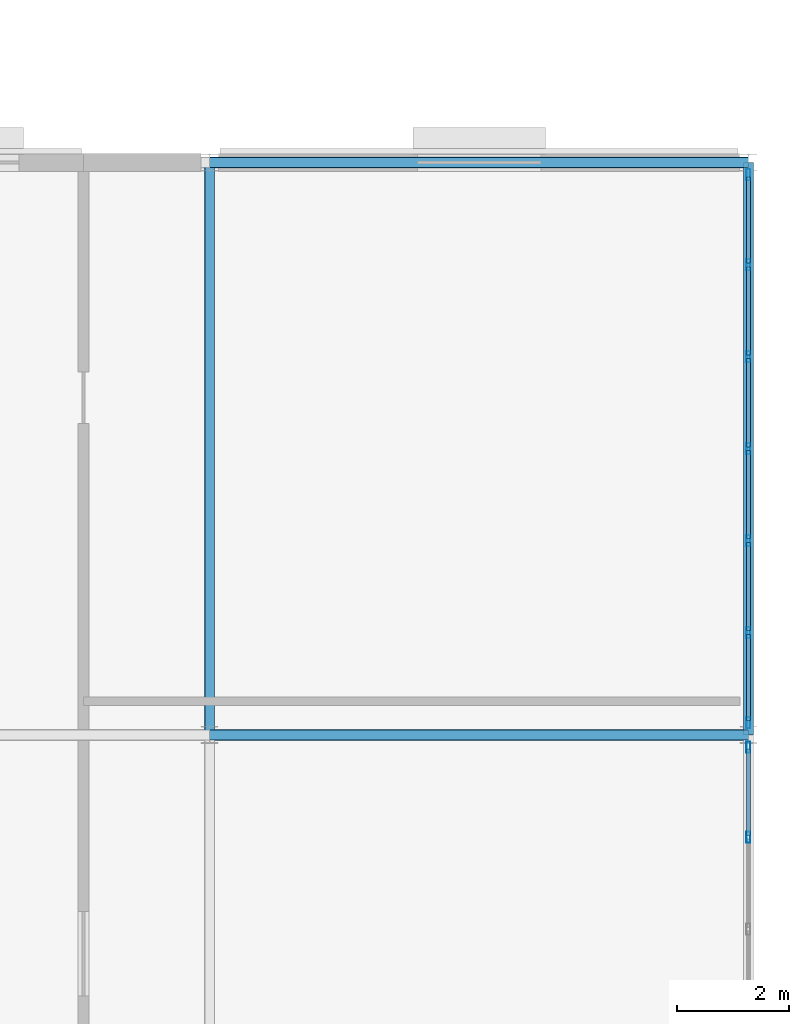
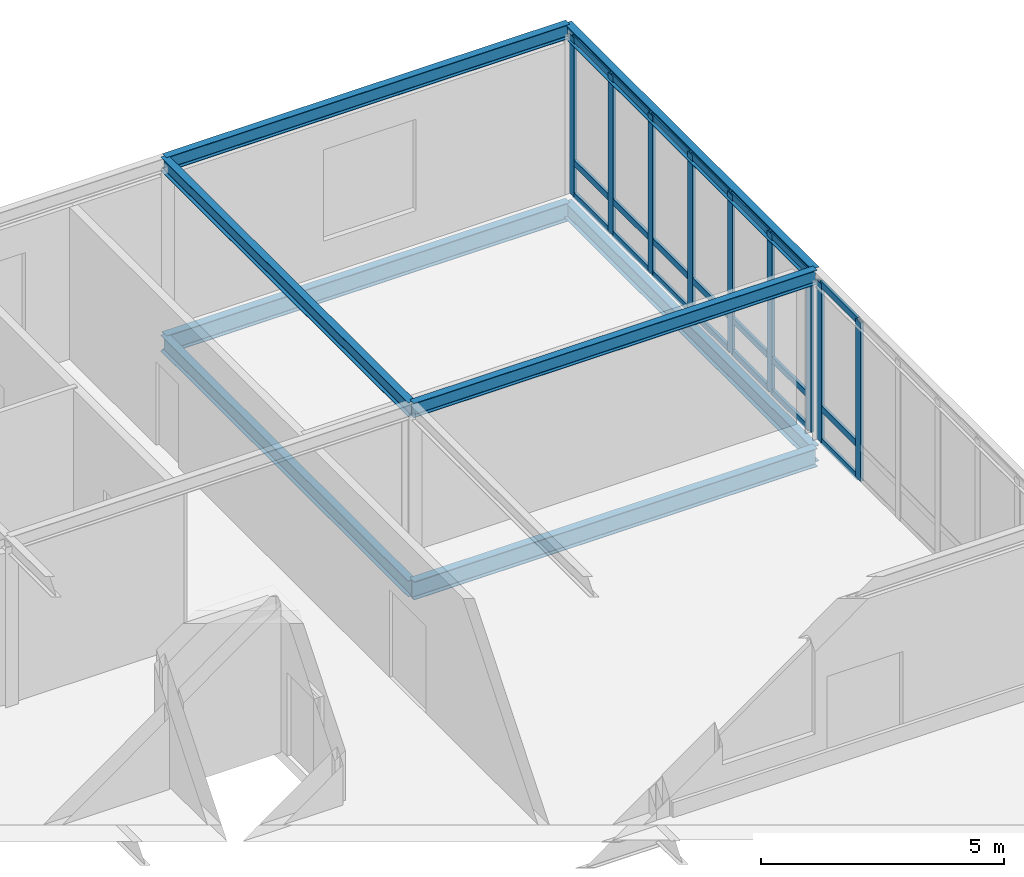
# One storey, part 129 of 185: 30 members, 8 beams, 2 elements without a shape of their own.
"""IFC4 building model written with IfcOpenShell, lengths in metres."""

from ifc_helpers import new_model, si_unit, direction, frame, origin, origin_2d, place, context, subcontext, project, spatial, hollow_rectangle, i_section, extrude, material, material_profile, profile_set, type_object, element, aggregate, save


model = new_model("IFC4")

# Units and contexts
model_context = context("Model", 3, precision=1e-05, world=origin(), true_north=direction((0.0, 1.0)))
body_context = subcontext(model_context, "Body", "Model", "MODEL_VIEW")
ifc_project = project(units=[si_unit("LENGTHUNIT", "METRE"), si_unit("AREAUNIT", "SQUARE_METRE"), si_unit("VOLUMEUNIT", "CUBIC_METRE"), si_unit("PLANEANGLEUNIT", "RADIAN"), si_unit("MASSUNIT", "GRAM", prefix="KILO")], contexts=[model_context])

# Site, building, storey
site_placement = place(None, origin())
site = spatial("IfcSite", under=ifc_project, at=site_placement, CompositionType="ELEMENT")
building_placement = place(site_placement, origin())
building = spatial("IfcBuilding", under=site, at=building_placement, Name="Vondelvale Polytechnic", CompositionType="ELEMENT")
storey_placement = place(building_placement, frame((0.0, 0.0, 9.60009765625)))
storey = spatial("IfcBuildingStorey", under=building, at=storey_placement, Name="L02", CompositionType="ELEMENT", Elevation=9.60009765625)

# Beams
ifc_material_1 = material(Name="Steel 300PLUS (fy = 300 MPa)", Category="steel")
ifc_material_profile_1 = material_profile(ifc_material_1, i_section(OverallWidth=0.172119140625, OverallDepth=0.35888671875, WebThickness=0.008056640625, FlangeThickness=0.012939453125, FilletRadius=0.011474609375, at=origin_2d()), Name="360UB56.7")
ifc_profile_set_1 = profile_set([ifc_material_profile_1], Name="Steel 300PLUS (fy = 300 MPa)")
beam_type_1 = type_object("IfcBeamType", Name="BM-UB360H", PredefinedType="BEAM", material=ifc_profile_set_1)
for number, where, z_axis, x_axis, name in (
    (1, (163.199951171875, 81.60009765625, 4.0205078125), (1.0, 0.0, 0.0), (0.0, 1.0, 0.0), "L02 RM B-15"),
    (2, (163.199951171875, 91.800048828125, 4.0205078125), (1.0, 0.0, 0.0), (0.0, 1.0, 0.0), "L02 RM B-15"),
):
    element("IfcBeam", number, at=place(storey_placement, frame(where, z_axis=z_axis, x_axis=x_axis)), inside=storey, type_object=beam_type_1, Name=name, PredefinedType="BEAM", context=body_context, shape_type="SweptSolid", body=[
        extrude(i_section(OverallWidth=0.172119140625, OverallDepth=0.35888671875, WebThickness=0.008056640625, FlangeThickness=0.012939453125, FilletRadius=0.011474609375, at=origin_2d()), origin(), (0.0, 0.0, 1.0), 9.60009765625),
    ])
for number, where, z_axis, x_axis, name in (
    (3, (163.199951171875, 81.60009765625, 4.0205078125), (0.0, 1.0, 0.0), (-1.0, 0.0, 0.0), "L02 RM B-15"),
    (4, (172.800048828125, 81.60009765625, 4.0205078125), (0.0, 1.0, 0.0), (-1.0, 0.0, 0.0), "L02 RM B-15"),
):
    element("IfcBeam", number, at=place(storey_placement, frame(where, z_axis=z_axis, x_axis=x_axis)), inside=storey, type_object=beam_type_1, Name=name, PredefinedType="BEAM", context=body_context, shape_type="SweptSolid", body=[
        extrude(i_section(OverallWidth=0.172119140625, OverallDepth=0.35888671875, WebThickness=0.008056640625, FlangeThickness=0.012939453125, FilletRadius=0.011474609375, at=origin_2d()), origin(), (0.0, 0.0, 1.0), 10.199951171875),
    ])
ifc_material_profile_2 = material_profile(ifc_material_1, i_section(OverallWidth=0.177978515625, OverallDepth=0.406005859375, WebThickness=0.0078125, FlangeThickness=0.0126953125, FilletRadius=0.011474609375, at=origin_2d()), Name="410UB59.7")
ifc_profile_set_2 = profile_set([ifc_material_profile_2], Name="Steel 300PLUS (fy = 300 MPa)")
beam_type_2 = type_object("IfcBeamType", Name="BM-UB410", PredefinedType="BEAM", material=ifc_profile_set_2)
for number, where, z_axis, x_axis, name in (
    (5, (163.199951171875, 81.60009765625, -0.483154296875), (0.0, 1.0, 0.0), (-1.0, 0.0, 0.0), "L02 B B-14"),
    (6, (172.800048828125, 81.60009765625, -0.483154296875), (0.0, 1.0, 0.0), (-1.0, 0.0, 0.0), "L02 B B-14"),
):
    element("IfcBeam", number, at=place(storey_placement, frame(where, z_axis=z_axis, x_axis=x_axis)), inside=storey, type_object=beam_type_2, Name=name, PredefinedType="BEAM", context=body_context, shape_type="SweptSolid", body=[
        extrude(i_section(OverallWidth=0.177978515625, OverallDepth=0.406005859375, WebThickness=0.0078125, FlangeThickness=0.0126953125, FilletRadius=0.011474609375, at=origin_2d()), origin(), (0.0, 0.0, 1.0), 10.199951171875),
    ])
ifc_material_profile_3 = material_profile(ifc_material_1, i_section(OverallWidth=0.19091796875, OverallDepth=0.4599609375, WebThickness=0.010009765625, FlangeThickness=0.01611328125, FilletRadius=0.011474609375, at=origin_2d()), Name="460UB82.1")
ifc_profile_set_3 = profile_set([ifc_material_profile_3], Name="Steel 300PLUS (fy = 300 MPa)")
beam_type_3 = type_object("IfcBeamType", Name="BM-UB460H", PredefinedType="BEAM", material=ifc_profile_set_3)
for number, where, z_axis, x_axis, name in (
    (7, (163.199951171875, 81.60009765625, -0.510009765625), (1.0, 0.0, 0.0), (0.0, 1.0, 0.0), "L02 B B-12"),
    (8, (163.199951171875, 91.800048828125, -0.510009765625), (1.0, 0.0, 0.0), (0.0, 1.0, 0.0), "L02 B B-12"),
):
    element("IfcBeam", number, at=place(storey_placement, frame(where, z_axis=z_axis, x_axis=x_axis)), inside=storey, type_object=beam_type_3, Name=name, PredefinedType="BEAM", context=body_context, shape_type="SweptSolid", body=[
        extrude(i_section(OverallWidth=0.19091796875, OverallDepth=0.4599609375, WebThickness=0.010009765625, FlangeThickness=0.01611328125, FilletRadius=0.011474609375, at=origin_2d()), origin(), (0.0, 0.0, 1.0), 9.60009765625),
    ])

# Curtain wall, members
ifc_material_2 = material(Name="Anodised extruded aluminium 6063-T6", Category="aluminium")
curtain_wall_type = type_object("IfcCurtainWallType", Name="CW-REFECTORY", PredefinedType="NOTDEFINED", material=ifc_material_2)
curtain_wall_1_placement = place(storey_placement, origin())
curtain_wall_1 = element("IfcCurtainWall", 9, at=curtain_wall_1_placement, inside=storey, type_object=curtain_wall_type, Name="L02 architectural curtain wall CW-05-393", PredefinedType="NOTDEFINED")
ifc_material_profile_4 = material_profile(ifc_material_2, hollow_rectangle(XDim=0.070068359375, YDim=0.199951171875, WallThickness=0.00390625, at=origin_2d()), Name="CW-MUL-200x70")
ifc_profile_set_4 = profile_set([ifc_material_profile_4], Name="Anodised extruded aluminium 6063-T6")
member_type_1 = type_object("IfcMemberType", Name="CW-MUL-70x200", PredefinedType="MULLION", material=ifc_profile_set_4)
member_1_placement = place(storey_placement, frame((172.800048828125, 79.77734375, 0.0), z_axis=(0.0, 0.0, 1.0), x_axis=(-1.0, 0.0, 0.0)))
member_1 = element("IfcMember", 10, at=member_1_placement, type_object=member_type_1, Name="CW-05-393 mullion 6", PredefinedType="MULLION", context=body_context, shape_type="SweptSolid", body=[
    extrude(hollow_rectangle(XDim=0.070068359375, YDim=0.199951171875, WallThickness=0.00390625, at=origin_2d()), origin(), (0.0, 0.0, 1.0), 4.0),
])
member_2_placement = place(storey_placement, frame((172.800048828125, 81.381103515625, 0.0), z_axis=(0.0, 0.0, 1.0), x_axis=(-1.0, 0.0, 0.0)))
member_2 = element("IfcMember", 11, at=member_2_placement, type_object=member_type_1, Name="CW-05-393 mullion 7", PredefinedType="MULLION", context=body_context, shape_type="SweptSolid", body=[
    extrude(hollow_rectangle(XDim=0.070068359375, YDim=0.199951171875, WallThickness=0.00390625, at=origin_2d()), origin(), (0.0, 0.0, 1.0), 4.0),
])

curtain_wall_2_placement = place(storey_placement, origin())
curtain_wall_2 = element("IfcCurtainWall", 12, at=curtain_wall_2_placement, inside=storey, type_object=curtain_wall_type, Name="L02 architectural curtain wall CW-05-394", PredefinedType="NOTDEFINED")
member_3_placement = place(storey_placement, frame((172.800048828125, 81.819091796875, 0.0), z_axis=(0.0, 0.0, 1.0), x_axis=(-1.0, 0.0, 0.0)))
member_3 = element("IfcMember", 13, at=member_3_placement, type_object=member_type_1, Name="CW-05-394 mullion 1", PredefinedType="MULLION", context=body_context, shape_type="SweptSolid", body=[
    extrude(hollow_rectangle(XDim=0.070068359375, YDim=0.199951171875, WallThickness=0.00390625, at=origin_2d()), origin(), (0.0, 0.0, 1.0), 4.0),
])
member_4_placement = place(storey_placement, frame((172.800048828125, 83.422607421875, 0.0), z_axis=(0.0, 0.0, 1.0), x_axis=(-1.0, 0.0, 0.0)))
member_4 = element("IfcMember", 14, at=member_4_placement, type_object=member_type_1, Name="CW-05-394 mullion 2", PredefinedType="MULLION", context=body_context, shape_type="SweptSolid", body=[
    extrude(hollow_rectangle(XDim=0.070068359375, YDim=0.199951171875, WallThickness=0.00390625, at=origin_2d()), origin(), (0.0, 0.0, 1.0), 4.0),
])
member_5_placement = place(storey_placement, frame((172.800048828125, 85.061279296875, 0.0), z_axis=(0.0, 0.0, 1.0), x_axis=(-1.0, 0.0, 0.0)))
member_5 = element("IfcMember", 15, at=member_5_placement, type_object=member_type_1, Name="CW-05-394 mullion 3", PredefinedType="MULLION", context=body_context, shape_type="SweptSolid", body=[
    extrude(hollow_rectangle(XDim=0.070068359375, YDim=0.199951171875, WallThickness=0.00390625, at=origin_2d()), origin(), (0.0, 0.0, 1.0), 4.0),
])
member_6_placement = place(storey_placement, frame((172.800048828125, 86.699951171875, 0.0), z_axis=(0.0, 0.0, 1.0), x_axis=(-1.0, 0.0, 0.0)))
member_6 = element("IfcMember", 16, at=member_6_placement, type_object=member_type_1, Name="CW-05-394 mullion 4", PredefinedType="MULLION", context=body_context, shape_type="SweptSolid", body=[
    extrude(hollow_rectangle(XDim=0.070068359375, YDim=0.199951171875, WallThickness=0.00390625, at=origin_2d()), origin(), (0.0, 0.0, 1.0), 4.0),
])
member_7_placement = place(storey_placement, frame((172.800048828125, 88.338623046875, 0.0), z_axis=(0.0, 0.0, 1.0), x_axis=(-1.0, 0.0, 0.0)))
member_7 = element("IfcMember", 17, at=member_7_placement, type_object=member_type_1, Name="CW-05-394 mullion 5", PredefinedType="MULLION", context=body_context, shape_type="SweptSolid", body=[
    extrude(hollow_rectangle(XDim=0.070068359375, YDim=0.199951171875, WallThickness=0.00390625, at=origin_2d()), origin(), (0.0, 0.0, 1.0), 4.0),
])
member_8_placement = place(storey_placement, frame((172.800048828125, 89.977294921875, 0.0), z_axis=(0.0, 0.0, 1.0), x_axis=(-1.0, 0.0, 0.0)))
member_8 = element("IfcMember", 18, at=member_8_placement, type_object=member_type_1, Name="CW-05-394 mullion 6", PredefinedType="MULLION", context=body_context, shape_type="SweptSolid", body=[
    extrude(hollow_rectangle(XDim=0.070068359375, YDim=0.199951171875, WallThickness=0.00390625, at=origin_2d()), origin(), (0.0, 0.0, 1.0), 4.0),
])
member_9_placement = place(storey_placement, frame((172.800048828125, 91.5810546875, 0.0), z_axis=(0.0, 0.0, 1.0), x_axis=(-1.0, 0.0, 0.0)))
member_9 = element("IfcMember", 19, at=member_9_placement, type_object=member_type_1, Name="CW-05-394 mullion 7", PredefinedType="MULLION", context=body_context, shape_type="SweptSolid", body=[
    extrude(hollow_rectangle(XDim=0.070068359375, YDim=0.199951171875, WallThickness=0.00390625, at=origin_2d()), origin(), (0.0, 0.0, 1.0), 4.0),
])

# Member
ifc_material_profile_5 = material_profile(ifc_material_2, hollow_rectangle(XDim=0.06494140625, YDim=0.159912109375, WallThickness=0.00341796875, at=origin_2d()), Name="CW-TRN-160x65")
ifc_profile_set_5 = profile_set([ifc_material_profile_5], Name="Anodised extruded aluminium 6063-T6")
member_type_2 = type_object("IfcMemberType", Name="CW-TRN-70x160", PredefinedType="USERDEFINED", material=ifc_profile_set_5)
member_10_placement = place(storey_placement, frame((172.800048828125, 79.812255859375, 0.032470703125), z_axis=(0.0, 1.0, 0.0), x_axis=(-1.0, 0.0, 0.0)))
member_10 = element("IfcMember", 20, at=member_10_placement, type_object=member_type_2, Name="CW-05-393 transom 6.1", ObjectType="TRANSOM", PredefinedType="USERDEFINED", context=body_context, shape_type="SweptSolid", body=[
    extrude(hollow_rectangle(XDim=0.06494140625, YDim=0.159912109375, WallThickness=0.00341796875, at=origin_2d()), origin(), (0.0, 0.0, 1.0), 1.53369140625),
])

member_11_placement = place(storey_placement, frame((172.800048828125, 79.812255859375, 0.849853515625), z_axis=(0.0, 1.0, 0.0), x_axis=(-1.0, 0.0, 0.0)))
member_11 = element("IfcMember", 21, at=member_11_placement, type_object=member_type_2, Name="CW-05-393 transom 6.2", ObjectType="TRANSOM", PredefinedType="USERDEFINED", context=body_context, shape_type="SweptSolid", body=[
    extrude(hollow_rectangle(XDim=0.06494140625, YDim=0.159912109375, WallThickness=0.00341796875, at=origin_2d()), origin(), (0.0, 0.0, 1.0), 1.53369140625),
])

member_12_placement = place(storey_placement, frame((172.800048828125, 79.812255859375, 3.96728515625), z_axis=(0.0, 1.0, 0.0), x_axis=(-1.0, 0.0, 0.0)))
member_12 = element("IfcMember", 22, at=member_12_placement, type_object=member_type_2, Name="CW-05-393 transom 6.3", ObjectType="TRANSOM", PredefinedType="USERDEFINED", context=body_context, shape_type="SweptSolid", body=[
    extrude(hollow_rectangle(XDim=0.06494140625, YDim=0.159912109375, WallThickness=0.00341796875, at=origin_2d()), origin(), (0.0, 0.0, 1.0), 1.53369140625),
])

aggregate(curtain_wall_1, [member_1, member_2, member_10, member_11, member_12])

member_13_placement = place(storey_placement, frame((172.800048828125, 81.85400390625, 0.032470703125), z_axis=(0.0, 1.0, 0.0), x_axis=(-1.0, 0.0, 0.0)))
member_13 = element("IfcMember", 23, at=member_13_placement, type_object=member_type_2, Name="CW-05-394 transom 1.1", ObjectType="TRANSOM", PredefinedType="USERDEFINED", context=body_context, shape_type="SweptSolid", body=[
    extrude(hollow_rectangle(XDim=0.06494140625, YDim=0.159912109375, WallThickness=0.00341796875, at=origin_2d()), origin(), (0.0, 0.0, 1.0), 1.53369140625),
])

member_14_placement = place(storey_placement, frame((172.800048828125, 81.85400390625, 0.849853515625), z_axis=(0.0, 1.0, 0.0), x_axis=(-1.0, 0.0, 0.0)))
member_14 = element("IfcMember", 24, at=member_14_placement, type_object=member_type_2, Name="CW-05-394 transom 1.2", ObjectType="TRANSOM", PredefinedType="USERDEFINED", context=body_context, shape_type="SweptSolid", body=[
    extrude(hollow_rectangle(XDim=0.06494140625, YDim=0.159912109375, WallThickness=0.00341796875, at=origin_2d()), origin(), (0.0, 0.0, 1.0), 1.53369140625),
])

member_15_placement = place(storey_placement, frame((172.800048828125, 81.85400390625, 3.96728515625), z_axis=(0.0, 1.0, 0.0), x_axis=(-1.0, 0.0, 0.0)))
member_15 = element("IfcMember", 25, at=member_15_placement, type_object=member_type_2, Name="CW-05-394 transom 1.3", ObjectType="TRANSOM", PredefinedType="USERDEFINED", context=body_context, shape_type="SweptSolid", body=[
    extrude(hollow_rectangle(XDim=0.06494140625, YDim=0.159912109375, WallThickness=0.00341796875, at=origin_2d()), origin(), (0.0, 0.0, 1.0), 1.53369140625),
])

member_16_placement = place(storey_placement, frame((172.800048828125, 83.457763671875, 0.032470703125), z_axis=(0.0, 1.0, 0.0), x_axis=(-1.0, 0.0, 0.0)))
member_16 = element("IfcMember", 26, at=member_16_placement, type_object=member_type_2, Name="CW-05-394 transom 2.1", ObjectType="TRANSOM", PredefinedType="USERDEFINED", context=body_context, shape_type="SweptSolid", body=[
    extrude(hollow_rectangle(XDim=0.06494140625, YDim=0.159912109375, WallThickness=0.00341796875, at=origin_2d()), origin(), (0.0, 0.0, 1.0), 1.568603515625),
])

member_17_placement = place(storey_placement, frame((172.800048828125, 83.457763671875, 0.849853515625), z_axis=(0.0, 1.0, 0.0), x_axis=(-1.0, 0.0, 0.0)))
member_17 = element("IfcMember", 27, at=member_17_placement, type_object=member_type_2, Name="CW-05-394 transom 2.2", ObjectType="TRANSOM", PredefinedType="USERDEFINED", context=body_context, shape_type="SweptSolid", body=[
    extrude(hollow_rectangle(XDim=0.06494140625, YDim=0.159912109375, WallThickness=0.00341796875, at=origin_2d()), origin(), (0.0, 0.0, 1.0), 1.568603515625),
])

member_18_placement = place(storey_placement, frame((172.800048828125, 83.457763671875, 3.96728515625), z_axis=(0.0, 1.0, 0.0), x_axis=(-1.0, 0.0, 0.0)))
member_18 = element("IfcMember", 28, at=member_18_placement, type_object=member_type_2, Name="CW-05-394 transom 2.3", ObjectType="TRANSOM", PredefinedType="USERDEFINED", context=body_context, shape_type="SweptSolid", body=[
    extrude(hollow_rectangle(XDim=0.06494140625, YDim=0.159912109375, WallThickness=0.00341796875, at=origin_2d()), origin(), (0.0, 0.0, 1.0), 1.568603515625),
])

member_19_placement = place(storey_placement, frame((172.800048828125, 85.096435546875, 0.032470703125), z_axis=(0.0, 1.0, 0.0), x_axis=(-1.0, 0.0, 0.0)))
member_19 = element("IfcMember", 29, at=member_19_placement, type_object=member_type_2, Name="CW-05-394 transom 3.1", ObjectType="TRANSOM", PredefinedType="USERDEFINED", context=body_context, shape_type="SweptSolid", body=[
    extrude(hollow_rectangle(XDim=0.06494140625, YDim=0.159912109375, WallThickness=0.00341796875, at=origin_2d()), origin(), (0.0, 0.0, 1.0), 1.568603515625),
])

member_20_placement = place(storey_placement, frame((172.800048828125, 85.096435546875, 0.849853515625), z_axis=(0.0, 1.0, 0.0), x_axis=(-1.0, 0.0, 0.0)))
member_20 = element("IfcMember", 30, at=member_20_placement, type_object=member_type_2, Name="CW-05-394 transom 3.2", ObjectType="TRANSOM", PredefinedType="USERDEFINED", context=body_context, shape_type="SweptSolid", body=[
    extrude(hollow_rectangle(XDim=0.06494140625, YDim=0.159912109375, WallThickness=0.00341796875, at=origin_2d()), origin(), (0.0, 0.0, 1.0), 1.568603515625),
])

member_21_placement = place(storey_placement, frame((172.800048828125, 85.096435546875, 3.96728515625), z_axis=(0.0, 1.0, 0.0), x_axis=(-1.0, 0.0, 0.0)))
member_21 = element("IfcMember", 31, at=member_21_placement, type_object=member_type_2, Name="CW-05-394 transom 3.3", ObjectType="TRANSOM", PredefinedType="USERDEFINED", context=body_context, shape_type="SweptSolid", body=[
    extrude(hollow_rectangle(XDim=0.06494140625, YDim=0.159912109375, WallThickness=0.00341796875, at=origin_2d()), origin(), (0.0, 0.0, 1.0), 1.568603515625),
])

member_22_placement = place(storey_placement, frame((172.800048828125, 86.735107421875, 0.032470703125), z_axis=(0.0, 1.0, 0.0), x_axis=(-1.0, 0.0, 0.0)))
member_22 = element("IfcMember", 32, at=member_22_placement, type_object=member_type_2, Name="CW-05-394 transom 4.1", ObjectType="TRANSOM", PredefinedType="USERDEFINED", context=body_context, shape_type="SweptSolid", body=[
    extrude(hollow_rectangle(XDim=0.06494140625, YDim=0.159912109375, WallThickness=0.00341796875, at=origin_2d()), origin(), (0.0, 0.0, 1.0), 1.568603515625),
])

member_23_placement = place(storey_placement, frame((172.800048828125, 86.735107421875, 0.849853515625), z_axis=(0.0, 1.0, 0.0), x_axis=(-1.0, 0.0, 0.0)))
member_23 = element("IfcMember", 33, at=member_23_placement, type_object=member_type_2, Name="CW-05-394 transom 4.2", ObjectType="TRANSOM", PredefinedType="USERDEFINED", context=body_context, shape_type="SweptSolid", body=[
    extrude(hollow_rectangle(XDim=0.06494140625, YDim=0.159912109375, WallThickness=0.00341796875, at=origin_2d()), origin(), (0.0, 0.0, 1.0), 1.568603515625),
])

member_24_placement = place(storey_placement, frame((172.800048828125, 86.735107421875, 3.96728515625), z_axis=(0.0, 1.0, 0.0), x_axis=(-1.0, 0.0, 0.0)))
member_24 = element("IfcMember", 34, at=member_24_placement, type_object=member_type_2, Name="CW-05-394 transom 4.3", ObjectType="TRANSOM", PredefinedType="USERDEFINED", context=body_context, shape_type="SweptSolid", body=[
    extrude(hollow_rectangle(XDim=0.06494140625, YDim=0.159912109375, WallThickness=0.00341796875, at=origin_2d()), origin(), (0.0, 0.0, 1.0), 1.568603515625),
])

member_25_placement = place(storey_placement, frame((172.800048828125, 88.373779296875, 0.032470703125), z_axis=(0.0, 1.0, 0.0), x_axis=(-1.0, 0.0, 0.0)))
member_25 = element("IfcMember", 35, at=member_25_placement, type_object=member_type_2, Name="CW-05-394 transom 5.1", ObjectType="TRANSOM", PredefinedType="USERDEFINED", context=body_context, shape_type="SweptSolid", body=[
    extrude(hollow_rectangle(XDim=0.06494140625, YDim=0.159912109375, WallThickness=0.00341796875, at=origin_2d()), origin(), (0.0, 0.0, 1.0), 1.568603515625),
])

member_26_placement = place(storey_placement, frame((172.800048828125, 88.373779296875, 0.849853515625), z_axis=(0.0, 1.0, 0.0), x_axis=(-1.0, 0.0, 0.0)))
member_26 = element("IfcMember", 36, at=member_26_placement, type_object=member_type_2, Name="CW-05-394 transom 5.2", ObjectType="TRANSOM", PredefinedType="USERDEFINED", context=body_context, shape_type="SweptSolid", body=[
    extrude(hollow_rectangle(XDim=0.06494140625, YDim=0.159912109375, WallThickness=0.00341796875, at=origin_2d()), origin(), (0.0, 0.0, 1.0), 1.568603515625),
])

member_27_placement = place(storey_placement, frame((172.800048828125, 88.373779296875, 3.96728515625), z_axis=(0.0, 1.0, 0.0), x_axis=(-1.0, 0.0, 0.0)))
member_27 = element("IfcMember", 37, at=member_27_placement, type_object=member_type_2, Name="CW-05-394 transom 5.3", ObjectType="TRANSOM", PredefinedType="USERDEFINED", context=body_context, shape_type="SweptSolid", body=[
    extrude(hollow_rectangle(XDim=0.06494140625, YDim=0.159912109375, WallThickness=0.00341796875, at=origin_2d()), origin(), (0.0, 0.0, 1.0), 1.568603515625),
])

member_28_placement = place(storey_placement, frame((172.800048828125, 90.012451171875, 0.032470703125), z_axis=(0.0, 1.0, 0.0), x_axis=(-1.0, 0.0, 0.0)))
member_28 = element("IfcMember", 38, at=member_28_placement, type_object=member_type_2, Name="CW-05-394 transom 6.1", ObjectType="TRANSOM", PredefinedType="USERDEFINED", context=body_context, shape_type="SweptSolid", body=[
    extrude(hollow_rectangle(XDim=0.06494140625, YDim=0.159912109375, WallThickness=0.00341796875, at=origin_2d()), origin(), (0.0, 0.0, 1.0), 1.533447265625),
])

member_29_placement = place(storey_placement, frame((172.800048828125, 90.012451171875, 0.849853515625), z_axis=(0.0, 1.0, 0.0), x_axis=(-1.0, 0.0, 0.0)))
member_29 = element("IfcMember", 39, at=member_29_placement, type_object=member_type_2, Name="CW-05-394 transom 6.2", ObjectType="TRANSOM", PredefinedType="USERDEFINED", context=body_context, shape_type="SweptSolid", body=[
    extrude(hollow_rectangle(XDim=0.06494140625, YDim=0.159912109375, WallThickness=0.00341796875, at=origin_2d()), origin(), (0.0, 0.0, 1.0), 1.533447265625),
])

member_30_placement = place(storey_placement, frame((172.800048828125, 90.012451171875, 3.96728515625), z_axis=(0.0, 1.0, 0.0), x_axis=(-1.0, 0.0, 0.0)))
member_30 = element("IfcMember", 40, at=member_30_placement, type_object=member_type_2, Name="CW-05-394 transom 6.3", ObjectType="TRANSOM", PredefinedType="USERDEFINED", context=body_context, shape_type="SweptSolid", body=[
    extrude(hollow_rectangle(XDim=0.06494140625, YDim=0.159912109375, WallThickness=0.00341796875, at=origin_2d()), origin(), (0.0, 0.0, 1.0), 1.533447265625),
])

aggregate(curtain_wall_2, [member_3, member_4, member_5, member_6, member_7, member_8, member_9, member_13, member_14, member_15, member_16, member_17, member_18, member_19, member_20, member_21, member_22, member_23, member_24, member_25, member_26, member_27, member_28, member_29, member_30])

save(model, "model.ifc")
